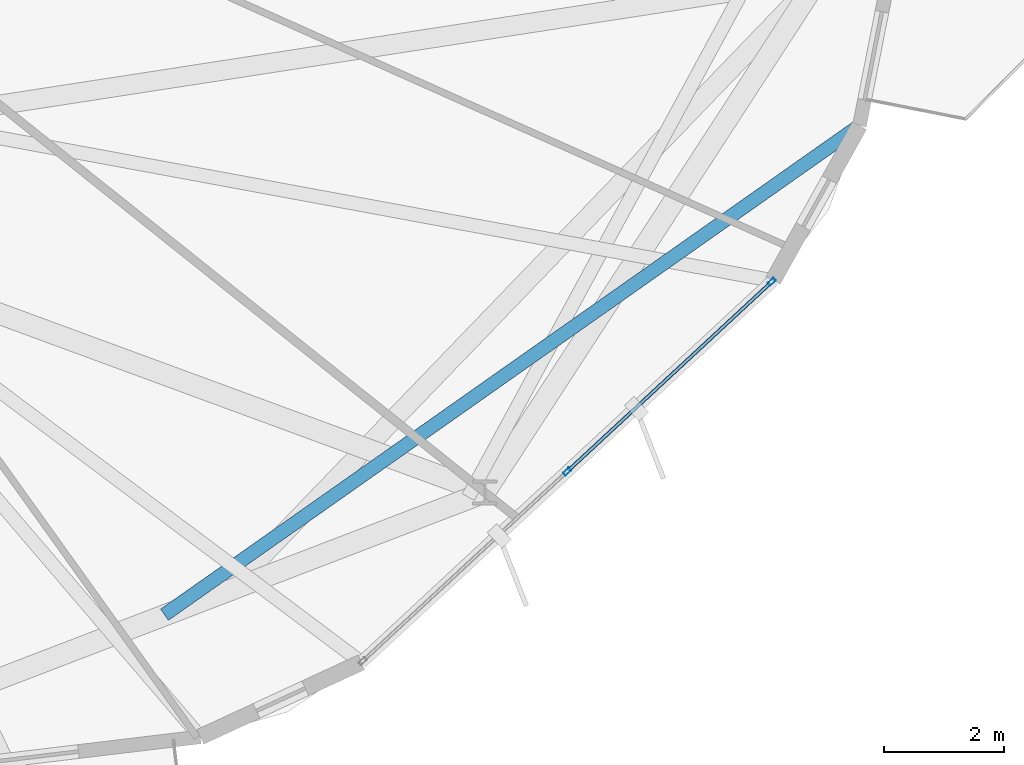
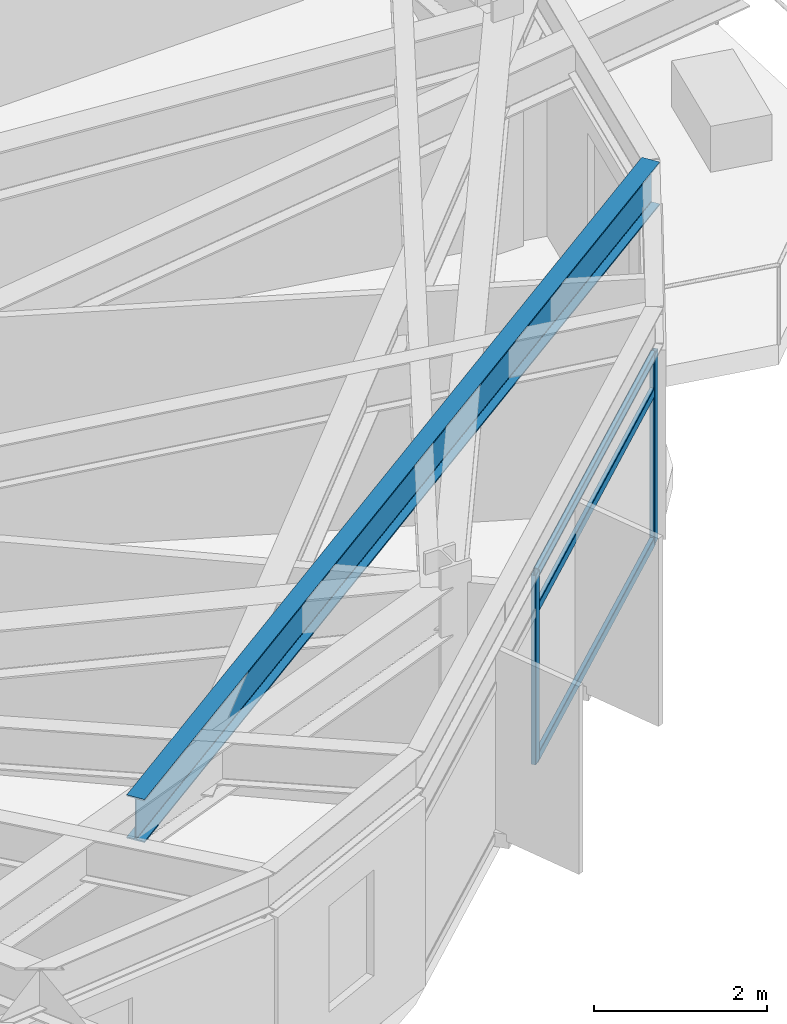
# One storey, part 9 of 25: 5 members, 1 beam, 1 element without a shape of its own.
"""IFC4 building model written with IfcOpenShell, lengths in metres."""

from ifc_helpers import new_model, si_unit, direction, frame, origin, origin_2d, place, context, subcontext, project, spatial, hollow_rectangle, i_section, extrude, material, layer, layer_set, material_profile, profile_set, type_object, element, aggregate, save


model = new_model("IFC4")

# Units and contexts
model_context = context("Model", 3, precision=1e-05, world=origin(), true_north=direction((0.0, 1.0)))
body_context = subcontext(model_context, "Body", "Model", "MODEL_VIEW")
ifc_project = project(units=[si_unit("LENGTHUNIT", "METRE"), si_unit("AREAUNIT", "SQUARE_METRE"), si_unit("VOLUMEUNIT", "CUBIC_METRE"), si_unit("PLANEANGLEUNIT", "RADIAN"), si_unit("MASSUNIT", "GRAM", prefix="KILO")], contexts=[model_context])

# Site, building, storey
site_placement = place(None, origin())
site = spatial("IfcSite", under=ifc_project, at=site_placement, CompositionType="ELEMENT")
building_placement = place(site_placement, origin())
building = spatial("IfcBuilding", under=site, at=building_placement, Name="Soratama Intermodal Tower", CompositionType="ELEMENT")
storey_placement = place(building_placement, frame((0.0, 0.0, 190.60009765625)))
storey = spatial("IfcBuildingStorey", under=building, at=storey_placement, Name="L47", CompositionType="ELEMENT", Elevation=190.60009765625)

# Beam
ifc_material_1 = material(Name="Structural steel ASTM A992 Grade 50", Category="steel")
ifc_material_profile_1 = material_profile(ifc_material_1, i_section(OverallWidth=0.22900390625, OverallDepth=0.612060546875, WebThickness=0.011962890625, FlangeThickness=0.01953125, FilletRadius=0.012939453125, at=origin_2d()), Name="W24X84")
ifc_profile_set_1 = profile_set([ifc_material_profile_1], Name="Structural steel ASTM A992 Grade 50")
beam_type = type_object("IfcBeamType", Name="BM-TIE-W24X84", PredefinedType="BEAM", material=ifc_profile_set_1)
beam_placement = place(storey_placement, frame((51.35107421875, 8.5, 2.993896484375), z_axis=(0.817787841658, 0.575519805077, 0.0), x_axis=(-0.575519805077, 0.817787841658, 0.0)))
element("IfcBeam", 1, at=beam_placement, inside=storey, type_object=beam_type, Name="BM-L47-TIE0-09", PredefinedType="BEAM", context=body_context, shape_type="SweptSolid", body=[
    extrude(i_section(OverallWidth=0.22900390625, OverallDepth=0.612060546875, WebThickness=0.011962890625, FlangeThickness=0.01953125, FilletRadius=0.012939453125, at=origin_2d()), origin(), (0.0, 0.0, 1.0), 14.202880859375),
])

# Curtain wall, members
ifc_material_2 = material(Name="Double-glazed aluminium curtain wall", Category="aluminium")
ifc_layer = layer(ifc_material_2, 0.159912109375)
ifc_layer_set = layer_set([ifc_layer], Name="Double-glazed aluminium curtain wall")
curtain_wall_type = type_object("IfcCurtainWallType", Name="CW-SYS-5", PredefinedType="NOTDEFINED", material=ifc_layer_set)
curtain_wall_placement = place(storey_placement, origin())
curtain_wall = element("IfcCurtainWall", 2, at=curtain_wall_placement, inside=storey, type_object=curtain_wall_type, Name="L47 Faceted Curtain Wall F08", PredefinedType="NOTDEFINED")
ifc_material_3 = material(Name="Anodised aluminium AA 6063-T6", Category="aluminium")
ifc_material_profile_2 = material_profile(ifc_material_3, hollow_rectangle(XDim=0.06494140625, YDim=0.139892578125, WallThickness=0.0048828125, InnerFilletRadius=0.0048828125, OuterFilletRadius=0.010009765625, at=origin_2d()), Name="CWM140X65X5")
ifc_profile_set_2 = profile_set([ifc_material_profile_2], Name="Anodised aluminium AA 6063-T6")
member_type_1 = type_object("IfcMemberType", Name="MT-CWM-5", PredefinedType="MULLION", material=ifc_profile_set_2)
member_1_placement = place(storey_placement, frame((58.080810546875, 10.893798828125, 0.0), z_axis=(0.0, 0.0, 1.0), x_axis=(-0.679958318998, 0.733250765036, 0.0)))
member_1 = element("IfcMember", 3, at=member_1_placement, type_object=member_type_1, Name="CW-5 mullion 2", PredefinedType="MULLION", context=body_context, shape_type="SweptSolid", body=[
    extrude(hollow_rectangle(XDim=0.06494140625, YDim=0.139892578125, WallThickness=0.0048828125, InnerFilletRadius=0.0048828125, OuterFilletRadius=0.010009765625, at=origin_2d()), origin(), (0.0, 0.0, 1.0), 2.678955078125),
])
member_2_placement = place(storey_placement, frame((61.49853515625, 14.063232421875, 0.0), z_axis=(0.0, 0.0, 1.0), x_axis=(-0.679958318998, 0.733250765036, 0.0)))
member_2 = element("IfcMember", 4, at=member_2_placement, type_object=member_type_1, Name="CW-5 mullion 3", PredefinedType="MULLION", context=body_context, shape_type="SweptSolid", body=[
    extrude(hollow_rectangle(XDim=0.06494140625, YDim=0.139892578125, WallThickness=0.0048828125, InnerFilletRadius=0.0048828125, OuterFilletRadius=0.010009765625, at=origin_2d()), origin(), (0.0, 0.0, 1.0), 2.678955078125),
])
ifc_material_4 = material(Name="Anodised aluminium AA 6063-T6", Category="aluminium")
ifc_material_profile_3 = material_profile(ifc_material_4, hollow_rectangle(XDim=0.06005859375, YDim=0.1298828125, WallThickness=0.0048828125, InnerFilletRadius=0.0048828125, OuterFilletRadius=0.010009765625, at=origin_2d()), Name="CWT130X60X5")
ifc_profile_set_3 = profile_set([ifc_material_profile_3], Name="Anodised aluminium AA 6063-T6")
member_type_2 = type_object("IfcMemberType", Name="TT-CWT-2", PredefinedType="USERDEFINED", material=ifc_profile_set_3)
member_3_placement = place(storey_placement, frame((58.102783203125, 10.914306640625, 0.02978515625), z_axis=(0.733267675826, 0.679940082352, 0.0), x_axis=(-0.679940082352, 0.733267675826, 0.0)))
member_3 = element("IfcMember", 5, at=member_3_placement, type_object=member_type_2, Name="CW-5 transom 2.1", ObjectType="TRANSOM", PredefinedType="USERDEFINED", context=body_context, shape_type="SweptSolid", body=[
    extrude(hollow_rectangle(XDim=0.06005859375, YDim=0.1298828125, WallThickness=0.0048828125, InnerFilletRadius=0.0048828125, OuterFilletRadius=0.010009765625, at=origin_2d()), origin(), (0.0, 0.0, 1.0), 4.60107421875),
])
member_4_placement = place(storey_placement, frame((58.102783203125, 10.914306640625, 2.14990234375), z_axis=(0.733267675826, 0.679940082352, 0.0), x_axis=(-0.679940082352, 0.733267675826, 0.0)))
member_4 = element("IfcMember", 6, at=member_4_placement, type_object=member_type_2, Name="CW-5 transom 2.2", ObjectType="TRANSOM", PredefinedType="USERDEFINED", context=body_context, shape_type="SweptSolid", body=[
    extrude(hollow_rectangle(XDim=0.06005859375, YDim=0.1298828125, WallThickness=0.0048828125, InnerFilletRadius=0.0048828125, OuterFilletRadius=0.010009765625, at=origin_2d()), origin(), (0.0, 0.0, 1.0), 4.60107421875),
])
member_5_placement = place(storey_placement, frame((58.102783203125, 10.914306640625, 2.64892578125), z_axis=(0.733267675826, 0.679940082352, 0.0), x_axis=(-0.679940082352, 0.733267675826, 0.0)))
member_5 = element("IfcMember", 7, at=member_5_placement, type_object=member_type_2, Name="CW-5 transom 2.3", ObjectType="TRANSOM", PredefinedType="USERDEFINED", context=body_context, shape_type="SweptSolid", body=[
    extrude(hollow_rectangle(XDim=0.06005859375, YDim=0.1298828125, WallThickness=0.0048828125, InnerFilletRadius=0.0048828125, OuterFilletRadius=0.010009765625, at=origin_2d()), origin(), (0.0, 0.0, 1.0), 4.60107421875),
])
aggregate(curtain_wall, [member_1, member_2, member_3, member_4, member_5])

save(model, "model.ifc")
